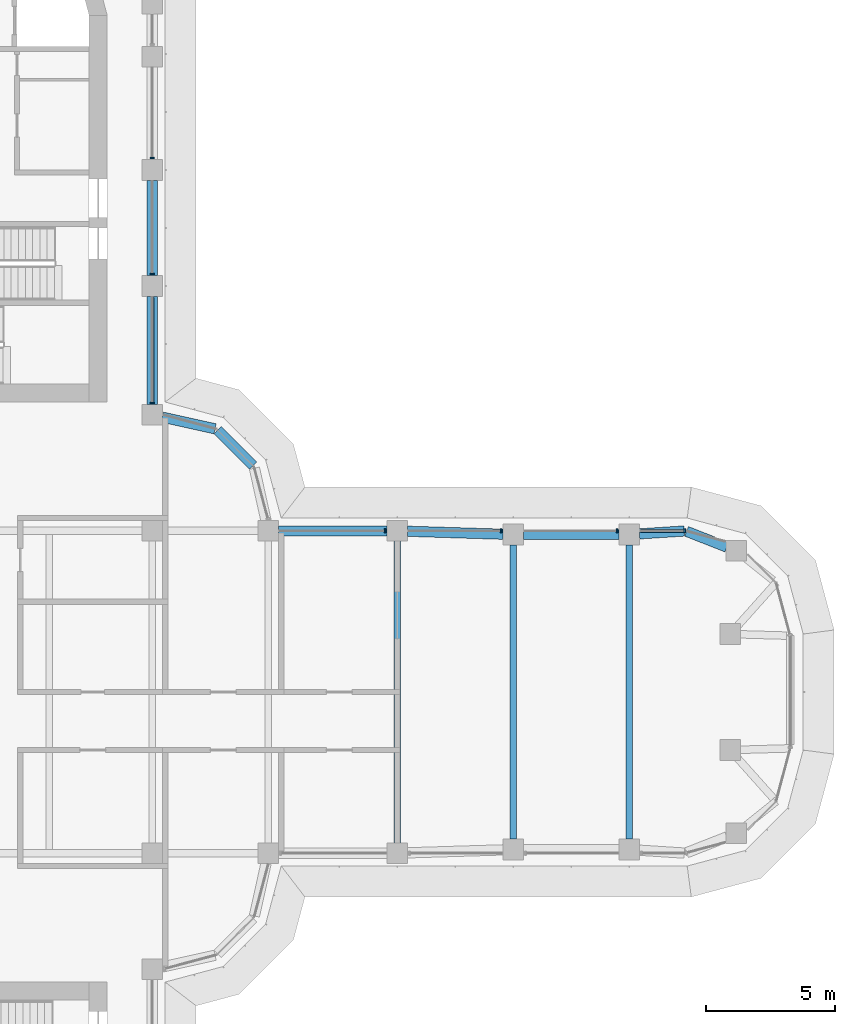
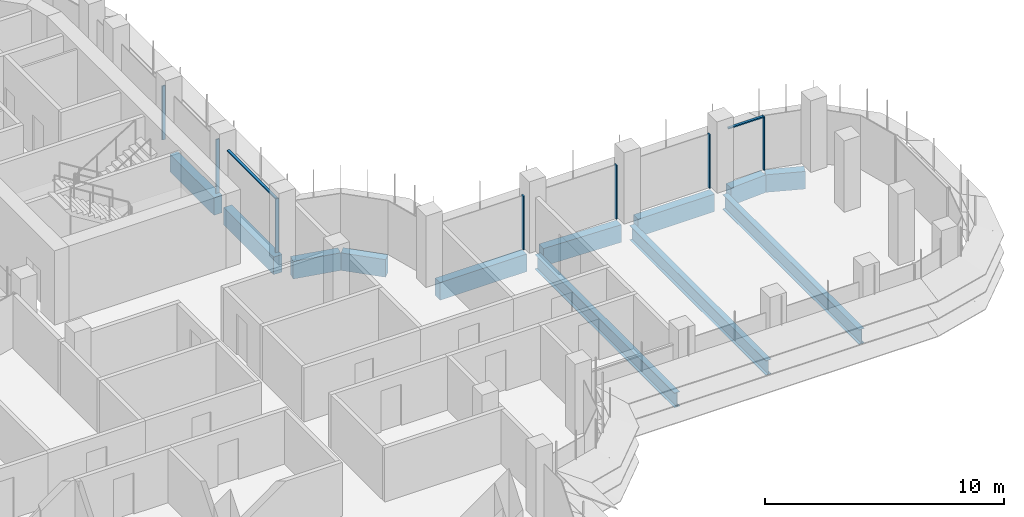
# One storey, part 8 of 20: 12 beams, 9 members, 2 elements without a shape of their own.
"""IFC4 building model written with IfcOpenShell, lengths in metres."""

from ifc_helpers import new_model, si_unit, direction, frame, origin, origin_2d, place, context, subcontext, project, spatial, polyline, rectangle, i_section, outline, extrude, source, transform, mapped, material, material_profile, profile_set, type_object, element, aggregate, save


model = new_model("IFC4")

# Units and contexts
model_context = context("Model", 3, precision=1e-05, world=origin(), true_north=direction((0.0, 1.0)))
body_context = subcontext(model_context, "Body", "Model", "MODEL_VIEW")
ifc_project = project(units=[si_unit("LENGTHUNIT", "METRE"), si_unit("AREAUNIT", "SQUARE_METRE"), si_unit("VOLUMEUNIT", "CUBIC_METRE"), si_unit("PLANEANGLEUNIT", "RADIAN"), si_unit("MASSUNIT", "GRAM", prefix="KILO")], contexts=[model_context])

# Site, building, storey
site_placement = place(None, origin())
site = spatial("IfcSite", under=ifc_project, at=site_placement, CompositionType="ELEMENT")
building_placement = place(site_placement, origin())
building = spatial("IfcBuilding", under=site, at=building_placement, Name="Zarbagh Exchange Tower", CompositionType="ELEMENT")
storey_placement = place(building_placement, frame((0.0, 0.0, 163.800048828125)))
storey = spatial("IfcBuildingStorey", under=building, at=storey_placement, Name="L39", CompositionType="ELEMENT", Elevation=163.800048828125)

# Beams
ifc_material_1 = material(Name="Steel ASTM A992 Gr 50", Category="steel")
ifc_material_profile_1 = material_profile(ifc_material_1, i_section(OverallWidth=0.26416015625, OverallDepth=0.749267578125, WebThickness=0.011962890625, FlangeThickness=0.015380859375, at=origin_2d()), Name="W30X90")
ifc_profile_set_1 = profile_set([ifc_material_profile_1], Name="Steel ASTM A992 Gr 50")
beam_type_1 = type_object("IfcBeamType", Name="Floor beam W30X90", PredefinedType="BEAM", material=ifc_profile_set_1)
beam_1_placement = place(storey_placement, frame((15.75, -5.85009765625, -0.524658203125), z_axis=(0.0, 1.0, 0.0), x_axis=(-1.0, 0.0, 0.0)))
element("IfcBeam", 1, at=beam_1_placement, inside=storey, type_object=beam_type_1, Name="Steel floor beam", PredefinedType="BEAM", context=body_context, shape_type="SweptSolid", body=[
    extrude(i_section(OverallWidth=0.26416015625, OverallDepth=0.749267578125, WebThickness=0.011962890625, FlangeThickness=0.015380859375, at=origin_2d()), origin(), (0.0, 0.0, 1.0), 11.7001953125),
])
for number, where, z_axis, x_axis, name in (
    (2, (20.25, -5.7099609375, -0.524658203125), (0.0, 1.0, 0.0), (-1.0, 0.0, 0.0), "Steel floor beam"),
    (3, (24.75, -5.7099609375, -0.524658203125), (0.0, 1.0, 0.0), (-1.0, 0.0, 0.0), "Steel floor beam"),
):
    element("IfcBeam", number, at=place(storey_placement, frame(where, z_axis=z_axis, x_axis=x_axis)), inside=storey, type_object=beam_type_1, Name=name, PredefinedType="BEAM", context=body_context, shape_type="SweptSolid", body=[
        extrude(i_section(OverallWidth=0.26416015625, OverallDepth=0.749267578125, WebThickness=0.011962890625, FlangeThickness=0.015380859375, at=origin_2d()), origin(), (0.0, 0.0, 1.0), 11.419921875),
    ])
ifc_material_2 = material(Name="Concrete C50/60", Category="concrete")
ifc_material_profile_2 = material_profile(ifc_material_2, rectangle(XDim=0.39990234375, YDim=0.89990234375, at=origin_2d()), Name="RC spandrel beam 400 x 900 C50/60")
ifc_profile_set_2 = profile_set([ifc_material_profile_2], Name="Concrete C50/60")
beam_type_2 = type_object("IfcBeamType", Name="RC spandrel beam 400 x 900 C50/60", PredefinedType="SPANDREL", material=ifc_profile_set_2)
beam_2_placement = place(storey_placement, frame((6.25, 19.85009765625, -0.60009765625), z_axis=(0.0, -1.0, 0.0), x_axis=(1.0, 0.0, 0.0)))
element("IfcBeam", 4, at=beam_2_placement, inside=storey, type_object=beam_type_2, Name="RC spandrel beam", PredefinedType="SPANDREL", context=body_context, shape_type="SweptSolid", body=[
    extrude(rectangle(XDim=0.39990234375, YDim=0.89990234375, at=origin_2d()), origin(), (0.0, 0.0, 1.0), 3.7001953125),
])
beam_3_placement = place(storey_placement, frame((6.25, 15.35009765625, -0.60009765625), z_axis=(0.0, -1.0, 0.0), x_axis=(1.0, 0.0, 0.0)))
element("IfcBeam", 5, at=beam_3_placement, inside=storey, type_object=beam_type_2, Name="RC spandrel beam", PredefinedType="SPANDREL", context=body_context, shape_type="SweptSolid", body=[
    extrude(rectangle(XDim=0.39990234375, YDim=0.89990234375, at=origin_2d()), origin(), (0.0, 0.0, 1.0), 4.2001953125),
])
beam_4_placement = place(storey_placement, frame((6.640625, 10.66357421875, -0.60009765625), z_axis=(0.976384278741, -0.216041061437, 0.0), x_axis=(0.216041061437, 0.976384278741, 0.0)))
element("IfcBeam", 6, at=beam_4_placement, inside=storey, type_object=beam_type_2, Name="RC spandrel beam", PredefinedType="SPANDREL", context=body_context, shape_type="SweptSolid", body=[
    extrude(rectangle(XDim=0.39990234375, YDim=0.89990234375, at=origin_2d()), origin(), (0.0, 0.0, 1.0), 2.0927734375),
])
beam_5_placement = place(storey_placement, frame((8.782470703125, 10.15771484375, -0.60009765625), z_axis=(0.707106781187, -0.707106781187, 0.0), x_axis=(0.707106781187, 0.707106781187, 0.0)))
element("IfcBeam", 7, at=beam_5_placement, inside=storey, type_object=beam_type_2, Name="RC spandrel beam", PredefinedType="SPANDREL", context=body_context, shape_type="SweptSolid", body=[
    extrude(rectangle(XDim=0.39990234375, YDim=0.89990234375, at=origin_2d()), origin(), (0.0, 0.0, 1.0), 1.94482421875),
])
beam_6_placement = place(storey_placement, frame((11.14990234375, 6.25, -0.60009765625), z_axis=(1.0, 0.0, 0.0), x_axis=(0.0, 1.0, 0.0)))
element("IfcBeam", 8, at=beam_6_placement, inside=storey, type_object=beam_type_2, Name="RC spandrel beam", PredefinedType="SPANDREL", context=body_context, shape_type="SweptSolid", body=[
    extrude(rectangle(XDim=0.39990234375, YDim=0.89990234375, at=origin_2d()), origin(), (0.0, 0.0, 1.0), 4.2001953125),
])
beam_7_placement = place(storey_placement, frame((16.14990234375, 6.237548828125, -0.60009765625), z_axis=(0.999515416033, -0.031127690444, 0.0), x_axis=(0.031127690444, 0.999515416033, 0.0)))
element("IfcBeam", 9, at=beam_7_placement, inside=storey, type_object=beam_type_2, Name="RC spandrel beam", PredefinedType="SPANDREL", context=body_context, shape_type="SweptSolid", body=[
    extrude(rectangle(XDim=0.39990234375, YDim=0.89990234375, at=origin_2d()), origin(), (0.0, 0.0, 1.0), 3.701904296875),
])
beam_8_placement = place(storey_placement, frame((20.64990234375, 6.110107421875, -0.60009765625), z_axis=(1.0, 0.0, 0.0), x_axis=(0.0, 1.0, 0.0)))
element("IfcBeam", 10, at=beam_8_placement, inside=storey, type_object=beam_type_2, Name="RC spandrel beam", PredefinedType="SPANDREL", context=body_context, shape_type="SweptSolid", body=[
    extrude(rectangle(XDim=0.39990234375, YDim=0.89990234375, at=origin_2d()), origin(), (0.0, 0.0, 1.0), 3.7001953125),
])
beam_9_placement = place(storey_placement, frame((25.149169921875, 6.135498046875, -0.60009765625), z_axis=(0.997942679773, 0.064112462805, 0.0), x_axis=(-0.064112462805, 0.997942679773, 0.0)))
element("IfcBeam", 11, at=beam_9_placement, inside=storey, type_object=beam_type_2, Name="RC spandrel beam", PredefinedType="SPANDREL", context=body_context, shape_type="SweptSolid", body=[
    extrude(rectangle(XDim=0.39990234375, YDim=0.89990234375, at=origin_2d()), origin(), (0.0, 0.0, 1.0), 1.744140625),
])
beam_10_placement = place(storey_placement, frame((26.9755859375, 6.233642578125, -0.60009765625), z_axis=(0.930818758612, -0.36548110569, 0.0), x_axis=(0.36548110569, 0.930818758612, 0.0)))
element("IfcBeam", 12, at=beam_10_placement, inside=storey, type_object=beam_type_2, Name="RC spandrel beam", PredefinedType="SPANDREL", context=body_context, shape_type="SweptSolid", body=[
    extrude(rectangle(XDim=0.39990234375, YDim=0.89990234375, at=origin_2d()), origin(), (0.0, 0.0, 1.0), 1.676025390625),
])

# Curtain wall, members
ifc_material_3 = material(Name="Anodised aluminium frame and glazing", Category="aluminium")
curtain_wall_type = type_object("IfcCurtainWallType", Name="CWB Ribbon glazing, upper zones", PredefinedType="NOTDEFINED", material=ifc_material_3)
curtain_wall_1_placement = place(storey_placement, origin())
curtain_wall_1 = element("IfcCurtainWall", 13, at=curtain_wall_1_placement, inside=storey, type_object=curtain_wall_type, Name="CWB16 curtain wall", PredefinedType="NOTDEFINED")
ifc_material_4 = material(Name="Anodised aluminium frame", Category="aluminium")
member_type_1 = type_object("IfcMemberType", Name="TRB Transom, anodised aluminium frame", PredefinedType="USERDEFINED", material=ifc_material_4)
shared_shape_1 = source(origin(), body_context, "Body", "SweptSolid", [
    extrude(outline(polyline([(-0.06005859375, -0.06005859375), (0.0, -0.06005859375), (0.0, 0.06005859375), (-0.06005859375, 0.06005859375), (-0.06005859375, -0.06005859375)])), origin(), (0.0, 0.0, 1.0), 1.68408203125),
])
placement = place(storey_placement, origin())
member_1 = element("IfcMember", 14, at=placement, type_object=member_type_1, Name="CWB16 transom 1.1", ObjectType="TRANSOM", PredefinedType="USERDEFINED", context=body_context, shape_type="MappedRepresentation", body=[
    mapped(shared_shape_1, transform((26.874267578125, 6.25, 2.75), x_axis=(0.0, 0.0, 1.0), y_axis=(0.0, 1.0, 0.0), z_axis=(-1.0, 0.0, 0.0))),
])
member_type_2 = type_object("IfcMemberType", Name="MUB Mullion, anodised aluminium frame", PredefinedType="MULLION", material=ifc_material_4)
shared_shape_2 = source(origin(), body_context, "Body", "SweptSolid", [
    extrude(outline(polyline([(0.0, -0.080078125), (0.06005859375, -0.080078125), (0.06005859375, 0.080078125), (0.0, 0.080078125), (0.0, -0.080078125)])), origin(), (0.0, 0.0, 1.0), 2.75),
])
member_2 = element("IfcMember", 15, at=placement, type_object=member_type_2, Name="CWB16 mullion 1.1", PredefinedType="MULLION", context=body_context, shape_type="MappedRepresentation", body=[
    mapped(shared_shape_2, transform((26.93408203125, 6.25, 0.0), x_axis=(-1.0, 0.0, 0.0), y_axis=(0.0, -1.0, 0.0), z_axis=(0.0, 0.0, 1.0))),
])
member_3 = element("IfcMember", 16, at=placement, type_object=member_type_2, Name="CWB16 mullion 2.1", PredefinedType="MULLION", context=body_context, shape_type="MappedRepresentation", body=[
    mapped(shared_shape_2, transform((24.31005859375, 6.25, 0.0), x_axis=(-1.0, 0.0, 0.0), y_axis=(0.0, -1.0, 0.0), z_axis=(0.0, 0.0, 1.0))),
])
member_4 = element("IfcMember", 17, at=placement, type_object=member_type_2, Name="CWB16 mullion 3.1", PredefinedType="MULLION", context=body_context, shape_type="MappedRepresentation", body=[
    mapped(shared_shape_2, transform((19.81005859375, 6.25, 0.0), x_axis=(-1.0, 0.0, 0.0), y_axis=(0.0, -1.0, 0.0), z_axis=(0.0, 0.0, 1.0))),
])
member_5 = element("IfcMember", 18, at=placement, type_object=member_type_2, Name="CWB16 mullion 4.1", PredefinedType="MULLION", context=body_context, shape_type="MappedRepresentation", body=[
    mapped(shared_shape_2, transform((15.31005859375, 6.25, 0.0), x_axis=(-1.0, 0.0, 0.0), y_axis=(0.0, -1.0, 0.0), z_axis=(0.0, 0.0, 1.0))),
])
aggregate(curtain_wall_1, [member_2, member_1, member_3, member_4, member_5])

curtain_wall_2_placement = place(storey_placement, origin())
curtain_wall_2 = element("IfcCurtainWall", 19, at=curtain_wall_2_placement, inside=storey, type_object=curtain_wall_type, Name="CWB20 curtain wall", PredefinedType="NOTDEFINED")
member_6 = element("IfcMember", 20, at=placement, type_object=member_type_2, Name="CWB20 mullion 1.1", PredefinedType="MULLION", context=body_context, shape_type="MappedRepresentation", body=[
    mapped(shared_shape_2, transform((6.25, 11.18994140625, 0.0), x_axis=(0.0, 1.0, 0.0), y_axis=(-1.0, 0.0, 0.0), z_axis=(0.0, 0.0, 1.0))),
])
member_7 = element("IfcMember", 21, at=placement, type_object=member_type_2, Name="CWB20 mullion 2.1", PredefinedType="MULLION", context=body_context, shape_type="MappedRepresentation", body=[
    mapped(shared_shape_2, transform((6.25, 16.18994140625, 0.0), x_axis=(0.0, 1.0, 0.0), y_axis=(-1.0, 0.0, 0.0), z_axis=(0.0, 0.0, 1.0))),
])
member_8 = element("IfcMember", 22, at=placement, type_object=member_type_2, Name="CWB20 mullion 3.1", PredefinedType="MULLION", context=body_context, shape_type="MappedRepresentation", body=[
    mapped(shared_shape_2, transform((6.25, 20.68994140625, 0.0), x_axis=(0.0, 1.0, 0.0), y_axis=(-1.0, 0.0, 0.0), z_axis=(0.0, 0.0, 1.0))),
])
shared_shape_3 = source(origin(), body_context, "Body", "SweptSolid", [
    extrude(outline(polyline([(-0.06005859375, -0.06005859375), (0.0, -0.06005859375), (0.0, 0.06005859375), (-0.06005859375, 0.06005859375), (-0.06005859375, -0.06005859375)])), origin(), (0.0, 0.0, 1.0), 4.06005859375),
])
member_9 = element("IfcMember", 23, at=placement, type_object=member_type_1, Name="CWB20 transom 1.1", ObjectType="TRANSOM", PredefinedType="USERDEFINED", context=body_context, shape_type="MappedRepresentation", body=[
    mapped(shared_shape_3, transform((6.25, 11.25, 2.75), x_axis=(0.0, 0.0, 1.0), y_axis=(1.0, 0.0, 0.0), z_axis=(0.0, 1.0, 0.0))),
])
aggregate(curtain_wall_2, [member_6, member_9, member_7, member_8])

save(model, "model.ifc")
